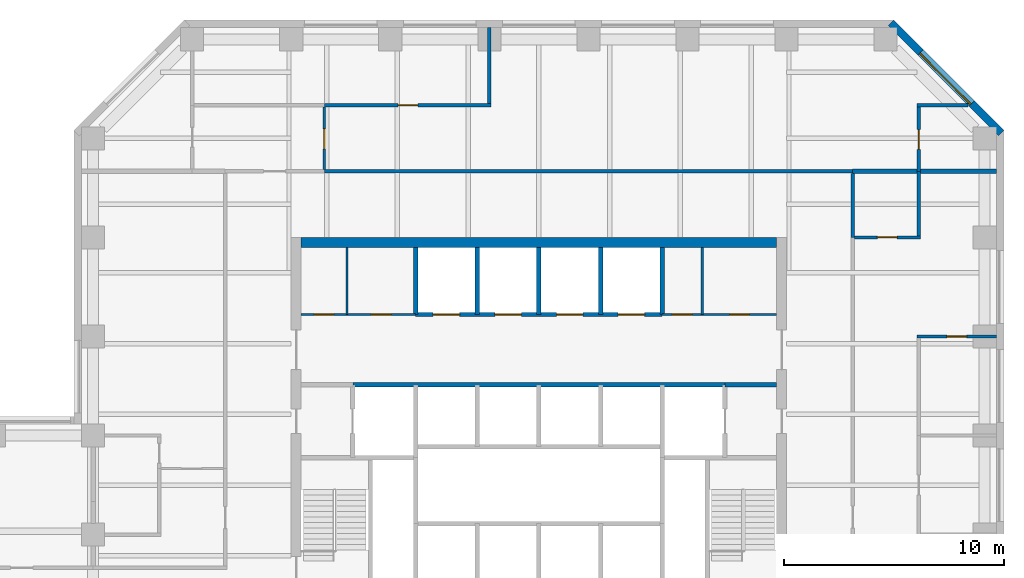
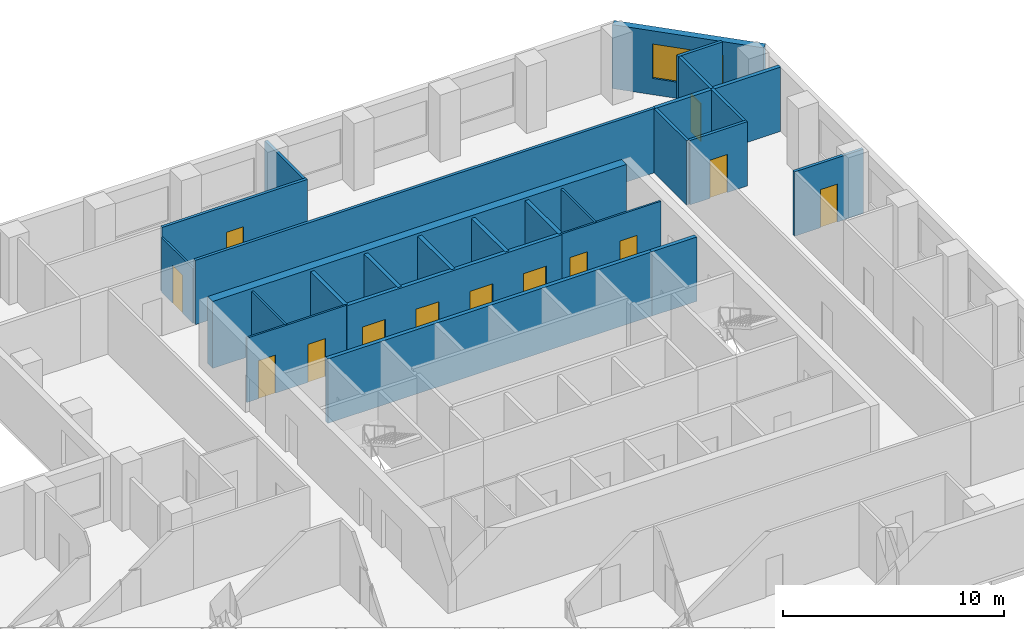
# One storey, part 8 of 11: 26 walls, 13 doors, 1 window, 14 openings.
"""IFC4 building model written with IfcOpenShell, lengths in metres."""

import ifcopenshell
import ifcopenshell.guid

model = None  # the IFC model being written
_history = None  # IfcOwnerHistory: only IFC2X3 demands one
_inside = {}  # id of a spatial element -> (the spatial element, [elements in it])
_under = {}  # id of a project, library or spatial element -> (it, [spatial elements below it])
_declared = {}  # id of a project -> (the project, [libraries it declares])
_typed = {}  # id of a type object -> (the type object, [elements of that type])
_made_of = {}  # id of a material, layer set ... -> (it, [elements and type objects made of it])


def new_model(schema):
    """Start an empty IFC model of exactly this schema.

    Asked for "IFC4X3", IfcOpenShell would pick the latest addendum, in which some entities
    have other attributes; the version numbers below select the first issue.
    IFC2X3 requires an IfcOwnerHistory on every rooted entity: one is made here for all.
    """
    global model, _history
    if schema == "IFC4X3":
        model = ifcopenshell.file(schema_version=(4, 3, 0, 0))
    else:
        model = ifcopenshell.file(schema=schema)
    _inside.clear()
    _under.clear()
    _declared.clear()
    _typed.clear()
    _made_of.clear()
    _history = None
    if model.schema == "IFC2X3":
        org = make("IfcOrganization", Name="unknown")
        user = make(
            "IfcPersonAndOrganization",
            ThePerson=make("IfcPerson", FamilyName="unknown"),
            TheOrganization=org,
        )
        app = make(
            "IfcApplication",
            ApplicationDeveloper=org,
            Version="unknown",
            ApplicationFullName="unknown",
            ApplicationIdentifier="unknown",
        )
        _history = make(
            "IfcOwnerHistory",
            OwningUser=user,
            OwningApplication=app,
            ChangeAction="ADDED",
            CreationDate=0,
        )
    return model


def make(cls, **values):
    """One entity of the class cls with the attributes given. An attribute that is None is left unset."""
    return model.create_entity(
        cls, **{name: value for name, value in values.items() if value is not None}
    )


def rooted(cls, **values):
    """An entity with a GlobalId (a new one), such as an element, a storey or a relation."""
    return make(cls, GlobalId=ifcopenshell.guid.new(), OwnerHistory=_history, **values)


def si_unit(unit_type, name, prefix=None):
    """IfcSIUnit, for example si_unit("LENGTHUNIT", "METRE", prefix="MILLI")."""
    return make("IfcSIUnit", UnitType=unit_type, Prefix=prefix, Name=name)


def assignment(units):
    """IfcUnitAssignment: the units of a project."""
    return None if units is None else make("IfcUnitAssignment", Units=units)


def point(xyz):
    """IfcCartesianPoint."""
    return None if xyz is None else make("IfcCartesianPoint", Coordinates=xyz)


def direction(xyz):
    """IfcDirection."""
    return None if xyz is None else make("IfcDirection", DirectionRatios=xyz)


def frame(location, z_axis=None, x_axis=None):
    """IfcAxis2Placement3D, a coordinate frame: its origin and axes. An axis left out is left unset."""
    return make(
        "IfcAxis2Placement3D",
        Location=point(location),
        Axis=direction(z_axis),
        RefDirection=direction(x_axis),
    )


def frame_2d(location, x_axis=None):
    """IfcAxis2Placement2D, a coordinate frame in the plane: its origin and x axis."""
    return make(
        "IfcAxis2Placement2D", Location=point(location), RefDirection=direction(x_axis)
    )


def origin():
    """The frame at (0, 0, 0) with its axes left unset."""
    return frame((0.0, 0.0, 0.0))


def place(relative_to, where):
    """IfcLocalPlacement: puts the frame where relative to a parent placement (None: the world)."""
    return make(
        "IfcLocalPlacement", PlacementRelTo=relative_to, RelativePlacement=where
    )


def context(
    kind, dimensions, precision=None, world=None, true_north=None, identifier=None
):
    """IfcGeometricRepresentationContext, for example the 3D "Model" context."""
    return make(
        "IfcGeometricRepresentationContext",
        ContextIdentifier=identifier,
        ContextType=kind,
        CoordinateSpaceDimension=dimensions,
        Precision=precision,
        WorldCoordinateSystem=world,
        TrueNorth=true_north,
    )


def subcontext(parent, identifier, kind, view, scale=None):
    """IfcGeometricRepresentationSubContext, for example "Body" below "Model"."""
    return make(
        "IfcGeometricRepresentationSubContext",
        ContextIdentifier=identifier,
        ContextType=kind,
        ParentContext=parent,
        TargetScale=scale,
        TargetView=view,
    )


def project(units=None, contexts=None):
    """IfcProject with its units and contexts."""
    return rooted(
        "IfcProject",
        Name="project",
        RepresentationContexts=contexts,
        UnitsInContext=assignment(units),
    )


def spatial(cls, under=None, at=None, **own):
    """A site, building, storey or space (cls), placed at a placement, below another one or the project."""
    s = rooted(cls, ObjectPlacement=at, **own)
    if under is not None:
        _under.setdefault(under.id(), (under, []))[1].append(s)
    return s


def profile(cls, at=None, kind="AREA", **sizes):
    """A parametric profile (cls). Its sizes go by their IFC names, for example OverallWidth=200.0."""
    return make(cls, ProfileType=kind, Position=at, **sizes)


def rectangle(**sizes):
    """IfcRectangleProfileDef."""
    return profile("IfcRectangleProfileDef", **sizes)


def extrude(swept, where, along, depth):
    """IfcExtrudedAreaSolid: the profile swept, set in the frame where, extruded along a direction by depth."""
    return make(
        "IfcExtrudedAreaSolid",
        SweptArea=swept,
        Position=where,
        ExtrudedDirection=direction(along),
        Depth=depth,
    )


def shape(context_of_items, identifier, shape_type, items):
    """IfcShapeRepresentation: the items that make up one representation, for example the "Body"."""
    return make(
        "IfcShapeRepresentation",
        ContextOfItems=context_of_items,
        RepresentationIdentifier=identifier,
        RepresentationType=shape_type,
        Items=items,
    )


def material(Name=None, Category=None):
    """IfcMaterial."""
    return make("IfcMaterial", Name=Name, Category=Category)


def layer(
    of_material, thickness, ventilated=None, Name=None, Category=None, Priority=None
):
    """IfcMaterialLayer: one layer of a wall or slab, of a material (None: an air gap)."""
    return make(
        "IfcMaterialLayer",
        Material=of_material,
        LayerThickness=thickness,
        IsVentilated=ventilated,
        Name=Name,
        Category=Category,
        Priority=Priority,
    )


def layer_set(layers, Name=None):
    """IfcMaterialLayerSet."""
    return make("IfcMaterialLayerSet", MaterialLayers=layers, LayerSetName=Name)


def constituent(of_material, Name=None, Category=None, fraction=None):
    """IfcMaterialConstituent: one of the materials an element consists of."""
    return make(
        "IfcMaterialConstituent",
        Name=Name,
        Material=of_material,
        Fraction=fraction,
        Category=Category,
    )


def constituent_set(constituents=None, Name=None):
    """IfcMaterialConstituentSet."""
    return make(
        "IfcMaterialConstituentSet", Name=Name, MaterialConstituents=constituents
    )


def made_of(thing, what):
    """Note that an element or type object is made of a material, layer set ...; save() writes the relation."""
    if what is not None:
        _made_of.setdefault(what.id(), (what, []))[1].append(thing)
    return thing


def type_object(cls, material=None, **own):
    """A type object (cls), such as IfcWallType, which elements share."""
    return made_of(rooted(cls, **own), material)


def element(
    cls,
    number,
    at=None,
    inside=None,
    cuts=None,
    type_object=None,
    material=None,
    context=None,
    identifier="Body",
    shape_type=None,
    held_by="IfcProductDefinitionShape",
    body=None,
    shapes=None,
    **own,
):
    """One element of the class cls, such as IfcWall. Its Tag is "e" and its number.

    at: its placement. inside: the storey or other place that contains it. cuts: it is an
    opening in that element (IfcRelVoidsElement). A single representation is given by context,
    identifier, shape_type and body (its items); several are given by shapes. held_by: the class
    of the entity that holds the representations. save() writes the other relations.
    """
    e = rooted(cls, Tag="e%d" % number, ObjectPlacement=at, **own)
    if body is not None:
        shapes = [shape(context, identifier, shape_type, body)]
    if shapes is not None:
        e.Representation = make(held_by, Representations=shapes)
    if inside is not None:
        _inside.setdefault(inside.id(), (inside, []))[1].append(e)
    if cuts is not None:
        rooted(
            "IfcRelVoidsElement", RelatingBuildingElement=cuts, RelatedOpeningElement=e
        )
    if type_object is not None:
        _typed.setdefault(type_object.id(), (type_object, []))[1].append(e)
    return made_of(e, material)


def fill(opening, filler):
    """IfcRelFillsElement: the door or window that sits in an opening."""
    return rooted(
        "IfcRelFillsElement",
        RelatingOpeningElement=opening,
        RelatedBuildingElement=filler,
    )


def aggregate(whole, parts):
    """IfcRelAggregates: a whole, such as a stair, and the parts it consists of."""
    return rooted("IfcRelAggregates", RelatingObject=whole, RelatedObjects=parts)


def save(model, path):
    """Write the relations noted so far, then the file.

    IfcRelAggregates (storeys below a building ...), IfcRelContainedInSpatialStructure (elements
    in a storey), IfcRelDefinesByType, IfcRelAssociatesMaterial and IfcRelDeclares: one each for
    every whole, place, type object, material and project.
    """
    for whole, parts in _under.values():
        aggregate(whole, parts)
    for where, things in _inside.values():
        rooted(
            "IfcRelContainedInSpatialStructure",
            RelatedElements=things,
            RelatingStructure=where,
        )
    for kind, things in _typed.values():
        rooted("IfcRelDefinesByType", RelatedObjects=things, RelatingType=kind)
    for what, things in _made_of.values():
        rooted("IfcRelAssociatesMaterial", RelatedObjects=things, RelatingMaterial=what)
    for by, libraries in _declared.values():
        rooted("IfcRelDeclares", RelatingContext=by, RelatedDefinitions=libraries)
    model.write(path)


model = new_model("IFC4")

# Units and contexts
model_context = context("Model", 3, precision=1e-05, world=origin(), true_north=direction((0.0, 1.0)))
body_context = subcontext(model_context, "Body", "Model", "MODEL_VIEW")
ifc_project = project(units=[si_unit("LENGTHUNIT", "METRE"), si_unit("AREAUNIT", "SQUARE_METRE"), si_unit("VOLUMEUNIT", "CUBIC_METRE"), si_unit("PLANEANGLEUNIT", "RADIAN"), si_unit("MASSUNIT", "GRAM", prefix="KILO")], contexts=[model_context])

# Site, building, storey
site_placement = place(None, origin())
site = spatial("IfcSite", under=ifc_project, at=site_placement, CompositionType="ELEMENT")
building_placement = place(site_placement, origin())
building = spatial("IfcBuilding", under=site, at=building_placement, Name="Quoin Convention Tower", CompositionType="ELEMENT")
storey_placement = place(building_placement, frame((0.0, 0.0, 101.10009765625)))
storey = spatial("IfcBuildingStorey", under=building, at=storey_placement, Name="L26", CompositionType="ELEMENT", Elevation=101.10009765625)

# Wall, opening, door
ifc_material_1 = material(Name="Plasterboard")
ifc_layer_1 = layer(ifc_material_1, 0.012451171875, Name="Finish")
ifc_material_2 = material(Name="Steel stud framing", Category="steel")
ifc_layer_2 = layer(ifc_material_2, 0.125, Name="Structure")
ifc_layer_3 = layer(ifc_material_1, 0.012451171875, Name="Finish")
ifc_layer_set_1 = layer_set([ifc_layer_1, ifc_layer_2, ifc_layer_3], Name="Steel stud framing")
wall_type_1 = type_object("IfcWallType", Name="Acoustic partition 150", PredefinedType="PARTITIONING", material=ifc_layer_set_1)
wall_1_placement = place(storey_placement, frame((73.425048828125, 67.5, 0.0), z_axis=(0.0, 0.0, 1.0), x_axis=(1.0, 0.0, 0.0)))
wall_1 = element("IfcWall", 1, at=wall_1_placement, inside=storey, type_object=wall_type_1, Name="pw-L26-039", PredefinedType="PARTITIONING", context=body_context, shape_type="SweptSolid", body=[
    extrude(rectangle(XDim=3.599853515625, YDim=0.14990234375, at=frame_2d((1.7998046875, 0.0))), origin(), (0.0, 0.0, 1.0), 3.5498046875),
])
opening_1_placement = place(wall_1_placement, frame((1.35009765625, 0.0, 0.0)))
opening_1 = element("IfcOpeningElement", 2, at=opening_1_placement, cuts=wall_1, Name="Opening DOL4-13", PredefinedType="OPENING", context=body_context, shape_type="SweptSolid", body=[
    extrude(rectangle(XDim=0.89990234375, YDim=2.10009765625, at=frame_2d((0.449951171875, 1.050048828125))), frame((0.0, 0.0849609375, 0.0), z_axis=(0.0, -1.0, 0.0), x_axis=(1.0, 0.0, 0.0)), (0.0, 0.0, 1.0), 0.169921875),
])
ifc_material_3 = material(Name="Steel door leaf", Category="steel")
door_type_1 = type_object("IfcDoorType", Name="Office door 900 x 2100", OperationType="SINGLE_SWING_RIGHT", PredefinedType="DOOR", material=ifc_material_3)
door_1_placement = place(opening_1_placement, origin())
door_1 = element("IfcDoor", 3, at=door_1_placement, inside=storey, type_object=door_type_1, Name="dr-L26-28", OperationType="SINGLE_SWING_RIGHT", OverallHeight=2.10009765625, OverallWidth=0.89990234375, PredefinedType="DOOR", context=body_context, shape_type="SweptSolid", body=[
    extrude(rectangle(XDim=0.89990234375, YDim=2.10009765625, at=frame_2d((0.449951171875, 1.050048828125))), frame((0.0, 0.02490234375, 0.0), z_axis=(0.0, -1.0, 0.0), x_axis=(1.0, 0.0, 0.0)), (0.0, 0.0, 1.0), 0.050048828125),
])
fill(opening_1, door_1)

wall_2_placement = place(storey_placement, frame((46.5, 78.0, 0.0), z_axis=(0.0, 0.0, 1.0), x_axis=(1.0, 0.0, 0.0)))
wall_2 = element("IfcWall", 4, at=wall_2_placement, inside=storey, type_object=wall_type_1, Name="pw-L26-048", PredefinedType="PARTITIONING", context=body_context, shape_type="SweptSolid", body=[
    extrude(rectangle(XDim=7.574951171875, YDim=0.14990234375, at=frame_2d((3.78759765625, 0.0))), origin(), (0.0, 0.0, 1.0), 3.5498046875),
])
opening_2_placement = place(wall_2_placement, frame((3.35009765625, 0.0, 0.0)))
opening_2 = element("IfcOpeningElement", 5, at=opening_2_placement, cuts=wall_2, Name="Opening DOL4-16", PredefinedType="OPENING", context=body_context, shape_type="SweptSolid", body=[
    extrude(rectangle(XDim=0.89990234375, YDim=2.10009765625, at=frame_2d((0.449951171875, 1.050048828125))), frame((0.0, 0.0849609375, 0.0), z_axis=(0.0, -1.0, 0.0), x_axis=(1.0, 0.0, 0.0)), (0.0, 0.0, 1.0), 0.169921875),
])
door_2_placement = place(opening_2_placement, frame((0.89990234375, 0.0, 0.0), z_axis=(0.0, 0.0, 1.0), x_axis=(-1.0, 0.0, 0.0)))
door_2 = element("IfcDoor", 6, at=door_2_placement, inside=storey, type_object=door_type_1, Name="dr-L26-33", OperationType="SINGLE_SWING_LEFT", OverallHeight=2.10009765625, OverallWidth=0.89990234375, PredefinedType="DOOR", context=body_context, shape_type="SweptSolid", body=[
    extrude(rectangle(XDim=0.89990234375, YDim=2.10009765625, at=frame_2d((0.449951171875, 1.050048828125))), frame((0.0, 0.02490234375, 0.0), z_axis=(0.0, -1.0, 0.0), x_axis=(1.0, 0.0, 0.0)), (0.0, 0.0, 1.0), 0.050048828125),
])
fill(opening_2, door_2)

# Wall
wall_3_placement = place(storey_placement, frame((54.0, 78.074951171875, 0.0), z_axis=(0.0, 0.0, 1.0), x_axis=(0.0, 1.0, 0.0)))
element("IfcWall", 7, at=wall_3_placement, inside=storey, type_object=wall_type_1, Name="pw-L26-093", PredefinedType="PARTITIONING", context=body_context, shape_type="SweptSolid", body=[
    extrude(rectangle(XDim=3.449951171875, YDim=0.14990234375, at=frame_2d((1.72509765625, 0.0))), origin(), (0.0, 0.0, 1.0), 3.5498046875),
])

# Wall, opening, window
ifc_material_4 = material(Name="Brick masonry", Category="masonry")
ifc_layer_4 = layer(ifc_material_4, 0.35009765625)
ifc_layer_set_2 = layer_set([ifc_layer_4], Name="Brick masonry")
wall_type_2 = type_object("IfcWallType", Name="Brick facade wall", PredefinedType="STANDARD", material=ifc_layer_set_2)
wall_4_placement = place(storey_placement, frame((77.251220703125, 76.73876953125, 0.0), z_axis=(0.0, 0.0, 1.0), x_axis=(-0.707106781187, 0.707106781187, 0.0)))
wall_4 = element("IfcWall", 8, at=wall_4_placement, inside=storey, type_object=wall_type_2, Name="fw-L26-76500_76500", PredefinedType="STANDARD", context=body_context, shape_type="SweptSolid", body=[
    extrude(rectangle(XDim=7.088623046875, YDim=0.35009765625, at=frame_2d((3.54443359375, 0.0))), origin(), (0.0, 0.0, 1.0), 3.52490234375),
])
opening_3_placement = place(wall_4_placement, frame((1.894287109375, 0.0, 0.89990234375)))
opening_3 = element("IfcOpeningElement", 9, at=opening_3_placement, cuts=wall_4, Name="Opening W-02", PredefinedType="OPENING", context=body_context, shape_type="SweptSolid", body=[
    extrude(rectangle(XDim=3.300048828125, YDim=1.89990234375, at=frame_2d((1.64990234375, 0.949951171875))), frame((0.0, 0.18505859375, 0.0), z_axis=(0.0, -1.0, 0.0), x_axis=(1.0, 0.0, 0.0)), (0.0, 0.0, 1.0), 0.3701171875),
])
ifc_material_5 = material(Name="Aluminium", Category="aluminium")
ifc_constituent_1 = constituent(ifc_material_5, Name="Frame")
ifc_material_6 = material(Name="Insulated glass", Category="glass")
ifc_constituent_2 = constituent(ifc_material_6, Name="Glazing")
ifc_constituent_set = constituent_set(constituents=[ifc_constituent_1, ifc_constituent_2], Name="Aluminium")
window_type = type_object("IfcWindowType", Name="Office window", PartitioningType="DOUBLE_PANEL_VERTICAL", PredefinedType="WINDOW", material=ifc_constituent_set)
window_placement = place(opening_3_placement, origin())
window = element("IfcWindow", 10, at=window_placement, inside=storey, type_object=window_type, Name="win-L26-74745_79245", OverallHeight=1.89990234375, OverallWidth=3.300048828125, PartitioningType="SINGLE_PANEL", PredefinedType="WINDOW", context=body_context, shape_type="SweptSolid", body=[
    extrude(rectangle(XDim=3.300048828125, YDim=1.89990234375, at=frame_2d((1.64990234375, 0.949951171875))), frame((0.0, 0.0849609375, 0.0), z_axis=(0.0, -1.0, 0.0), x_axis=(1.0, 0.0, 0.0)), (0.0, 0.0, 1.0), 0.06005859375),
])
fill(opening_3, window)

# Wall, openings, doors
ifc_layer_5 = layer(ifc_material_1, 0.012451171875, Name="Finish")
ifc_layer_6 = layer(ifc_material_2, 0.074951171875, Name="Structure")
ifc_layer_7 = layer(ifc_material_1, 0.012451171875, Name="Finish")
ifc_layer_set_3 = layer_set([ifc_layer_5, ifc_layer_6, ifc_layer_7], Name="Steel stud framing")
wall_type_3 = type_object("IfcWallType", Name="Core partition wall", PredefinedType="PARTITIONING", material=ifc_layer_set_3)
wall_5_placement = place(storey_placement, frame((45.449951171875, 68.5, 0.0), z_axis=(0.0, 0.0, 1.0), x_axis=(1.0, 0.0, 0.0)))
wall_5 = element("IfcWall", 11, at=wall_5_placement, inside=storey, type_object=wall_type_3, Name="cr-C1-L26-h19000_450", PredefinedType="PARTITIONING", context=body_context, shape_type="SweptSolid", body=[
    extrude(rectangle(XDim=5.199951171875, YDim=0.10009765625, at=frame_2d((2.60009765625, 0.0))), origin(), (0.0, 0.0, 1.0), 3.5498046875),
])
opening_4_placement = place(wall_5_placement, frame((0.590087890625, 0.0, 0.0)))
opening_4 = element("IfcOpeningElement", 12, at=opening_4_placement, cuts=wall_5, Name="Opening DCV3-15", PredefinedType="OPENING", context=body_context, shape_type="SweptSolid", body=[
    extrude(rectangle(XDim=0.89990234375, YDim=2.10009765625, at=frame_2d((0.449951171875, 1.050048828125))), frame((0.0, 0.06005859375, 0.0), z_axis=(0.0, -1.0, 0.0), x_axis=(1.0, 0.0, 0.0)), (0.0, 0.0, 1.0), 0.1201171875),
])
opening_5_placement = place(wall_5_placement, frame((3.18994140625, 0.0, 0.0)))
opening_5 = element("IfcOpeningElement", 13, at=opening_5_placement, cuts=wall_5, Name="Opening DCV3-16", PredefinedType="OPENING", context=body_context, shape_type="SweptSolid", body=[
    extrude(rectangle(XDim=0.89990234375, YDim=2.10009765625, at=frame_2d((0.449951171875, 1.050048828125))), frame((0.0, 0.06005859375, 0.0), z_axis=(0.0, -1.0, 0.0), x_axis=(1.0, 0.0, 0.0)), (0.0, 0.0, 1.0), 0.1201171875),
])
door_type_2 = type_object("IfcDoorType", Name="Core room door 900 x 2100", OperationType="SINGLE_SWING_LEFT", PredefinedType="DOOR", material=ifc_material_3)
door_3_placement = place(opening_4_placement, origin())
door_3 = element("IfcDoor", 14, at=door_3_placement, inside=storey, type_object=door_type_2, Name="cd-C1-L26-CNW0-lobB-CD2609", OperationType="SINGLE_SWING_RIGHT", OverallHeight=2.10009765625, OverallWidth=0.89990234375, PredefinedType="DOOR", context=body_context, shape_type="SweptSolid", body=[
    extrude(rectangle(XDim=0.89990234375, YDim=2.10009765625, at=frame_2d((0.449951171875, 1.050048828125))), frame((0.0, 0.02490234375, 0.0), z_axis=(0.0, -1.0, 0.0), x_axis=(1.0, 0.0, 0.0)), (0.0, 0.0, 1.0), 0.050048828125),
])
fill(opening_4, door_3)
door_4_placement = place(opening_5_placement, origin())
door_4 = element("IfcDoor", 15, at=door_4_placement, inside=storey, type_object=door_type_2, Name="cd-C1-L26-CNW1-lobB-CD2610", OperationType="SINGLE_SWING_RIGHT", OverallHeight=2.10009765625, OverallWidth=0.89990234375, PredefinedType="DOOR", context=body_context, shape_type="SweptSolid", body=[
    extrude(rectangle(XDim=0.89990234375, YDim=2.10009765625, at=frame_2d((0.449951171875, 1.050048828125))), frame((0.0, 0.02490234375, 0.0), z_axis=(0.0, -1.0, 0.0), x_axis=(1.0, 0.0, 0.0)), (0.0, 0.0, 1.0), 0.050048828125),
])
fill(opening_5, door_4)

wall_6_placement = place(storey_placement, frame((61.85009765625, 68.5, 0.0), z_axis=(0.0, 0.0, 1.0), x_axis=(1.0, 0.0, 0.0)))
wall_6 = element("IfcWall", 16, at=wall_6_placement, inside=storey, type_object=wall_type_3, Name="cr-C1-L26-h19000_16850", PredefinedType="PARTITIONING", context=body_context, shape_type="SweptSolid", body=[
    extrude(rectangle(XDim=5.199951171875, YDim=0.10009765625, at=frame_2d((2.60009765625, 0.0))), origin(), (0.0, 0.0, 1.0), 3.5498046875),
])
opening_6_placement = place(wall_6_placement, frame((3.06005859375, 0.0, 0.0)))
opening_6 = element("IfcOpeningElement", 17, at=opening_6_placement, cuts=wall_6, Name="Opening DCV3-04", PredefinedType="OPENING", context=body_context, shape_type="SweptSolid", body=[
    extrude(rectangle(XDim=0.89990234375, YDim=2.10009765625, at=frame_2d((0.449951171875, 1.050048828125))), frame((0.0, 0.06005859375, 0.0), z_axis=(0.0, -1.0, 0.0), x_axis=(1.0, 0.0, 0.0)), (0.0, 0.0, 1.0), 0.1201171875),
])
opening_7_placement = place(wall_6_placement, frame((0.4599609375, 0.0, 0.0)))
opening_7 = element("IfcOpeningElement", 18, at=opening_7_placement, cuts=wall_6, Name="Opening DCV3-02", PredefinedType="OPENING", context=body_context, shape_type="SweptSolid", body=[
    extrude(rectangle(XDim=0.89990234375, YDim=2.10009765625, at=frame_2d((0.449951171875, 1.050048828125))), frame((0.0, 0.06005859375, 0.0), z_axis=(0.0, -1.0, 0.0), x_axis=(1.0, 0.0, 0.0)), (0.0, 0.0, 1.0), 0.1201171875),
])
door_5_placement = place(opening_6_placement, origin())
door_5 = element("IfcDoor", 19, at=door_5_placement, inside=storey, type_object=door_type_2, Name="cd-C1-L26-CNE0-lobB-CD2607", OperationType="SINGLE_SWING_RIGHT", OverallHeight=2.10009765625, OverallWidth=0.89990234375, PredefinedType="DOOR", context=body_context, shape_type="SweptSolid", body=[
    extrude(rectangle(XDim=0.89990234375, YDim=2.10009765625, at=frame_2d((0.449951171875, 1.050048828125))), frame((0.0, 0.02490234375, 0.0), z_axis=(0.0, -1.0, 0.0), x_axis=(1.0, 0.0, 0.0)), (0.0, 0.0, 1.0), 0.050048828125),
])
fill(opening_6, door_5)
door_6_placement = place(opening_7_placement, origin())
door_6 = element("IfcDoor", 20, at=door_6_placement, inside=storey, type_object=door_type_2, Name="cd-C1-L26-CNE1-lobB-CD2608", OperationType="SINGLE_SWING_LEFT", OverallHeight=2.10009765625, OverallWidth=0.89990234375, PredefinedType="DOOR", context=body_context, shape_type="SweptSolid", body=[
    extrude(rectangle(XDim=0.89990234375, YDim=2.10009765625, at=frame_2d((0.449951171875, 1.050048828125))), frame((0.0, 0.02490234375, 0.0), z_axis=(0.0, -1.0, 0.0), x_axis=(1.0, 0.0, 0.0)), (0.0, 0.0, 1.0), 0.050048828125),
])
fill(opening_7, door_6)

# Walls
for number, where, z_axis, x_axis, name in (
    (21, (47.530029296875, 68.5, 0.0), (0.0, 0.0, 1.0), (0.0, 1.0, 0.0), "cr-C1-L26-v2530_19000"),
    (22, (63.669921875, 68.5, 0.0), (0.0, 0.0, 1.0), (0.0, 1.0, 0.0), "cr-C1-L26-v18670_19000"),
):
    element("IfcWall", number, at=place(storey_placement, frame(where, z_axis=z_axis, x_axis=x_axis)), inside=storey, type_object=wall_type_3, Name=name, PredefinedType="PARTITIONING", context=body_context, shape_type="SweptSolid", body=[
        extrude(rectangle(XDim=3.050048828125, YDim=0.10009765625, at=frame_2d((1.52490234375, 0.0))), origin(), (0.0, 0.0, 1.0), 3.5498046875),
    ])
ifc_material_7 = material(Name="Concrete C50", Category="concrete")
ifc_layer_8 = layer(ifc_material_7, 0.199951171875)
ifc_layer_set_4 = layer_set([ifc_layer_8], Name="Concrete C50")
wall_type_4 = type_object("IfcWallType", Name="Core shaft wall", PredefinedType="SOLIDWALL", material=ifc_layer_set_4)
wall_7_placement = place(storey_placement, frame((64.699951171875, 65.300048828125, 0.0), z_axis=(0.0, 0.0, 1.0), x_axis=(1.0, 0.0, 0.0)))
element("IfcWall", 23, at=wall_7_placement, inside=storey, type_object=wall_type_4, Name="cr-C1-L26-h15800_19700", PredefinedType="SOLIDWALL", context=body_context, shape_type="SweptSolid", body=[
    extrude(rectangle(XDim=2.35009765625, YDim=0.199951171875, at=frame_2d((1.175048828125, 0.0))), origin(), (0.0, 0.0, 1.0), 3.5498046875),
])
wall_8_placement = place(storey_placement, frame((47.800048828125, 65.300048828125, 0.0), z_axis=(0.0, 0.0, 1.0), x_axis=(1.0, 0.0, 0.0)))
element("IfcWall", 24, at=wall_8_placement, inside=storey, type_object=wall_type_4, Name="cr-C1-L26-h15800_2800", PredefinedType="SOLIDWALL", context=body_context, shape_type="SweptSolid", body=[
    extrude(rectangle(XDim=16.89990234375, YDim=0.199951171875, at=frame_2d((8.449951171875, 0.0))), origin(), (0.0, 0.0, 1.0), 3.5498046875),
])

# Wall, openings, doors
wall_9_placement = place(storey_placement, frame((50.64990234375, 68.5, 0.0), z_axis=(0.0, 0.0, 1.0), x_axis=(1.0, 0.0, 0.0)))
wall_9 = element("IfcWall", 25, at=wall_9_placement, inside=storey, type_object=wall_type_4, Name="cr-C1-L26-h19000_5650", PredefinedType="SOLIDWALL", context=body_context, shape_type="SweptSolid", body=[
    extrude(rectangle(XDim=11.2001953125, YDim=0.199951171875, at=frame_2d((5.60009765625, 0.0))), origin(), (0.0, 0.0, 1.0), 3.5498046875),
])
opening_8_placement = place(wall_9_placement, frame((0.800048828125, 0.0, 0.0)))
opening_8 = element("IfcOpeningElement", 26, at=opening_8_placement, cuts=wall_9, Name="Opening LDL5", PredefinedType="OPENING", context=body_context, shape_type="SweptSolid", body=[
    extrude(rectangle(XDim=1.199951171875, YDim=2.10009765625, at=frame_2d((0.60009765625, 1.050048828125))), frame((0.0, 0.10986328125, 0.0), z_axis=(0.0, -1.0, 0.0), x_axis=(1.0, 0.0, 0.0)), (0.0, 0.0, 1.0), 0.219970703125),
])
opening_9_placement = place(wall_9_placement, frame((3.60009765625, 0.0, 0.0)))
opening_9 = element("IfcOpeningElement", 27, at=opening_9_placement, cuts=wall_9, Name="Opening LDL6", PredefinedType="OPENING", context=body_context, shape_type="SweptSolid", body=[
    extrude(rectangle(XDim=1.199951171875, YDim=2.10009765625, at=frame_2d((0.60009765625, 1.050048828125))), frame((0.0, 0.10986328125, 0.0), z_axis=(0.0, -1.0, 0.0), x_axis=(1.0, 0.0, 0.0)), (0.0, 0.0, 1.0), 0.219970703125),
])
opening_10_placement = place(wall_9_placement, frame((6.39990234375, 0.0, 0.0)))
opening_10 = element("IfcOpeningElement", 28, at=opening_10_placement, cuts=wall_9, Name="Opening LDL7", PredefinedType="OPENING", context=body_context, shape_type="SweptSolid", body=[
    extrude(rectangle(XDim=1.199951171875, YDim=2.10009765625, at=frame_2d((0.60009765625, 1.050048828125))), frame((0.0, 0.10986328125, 0.0), z_axis=(0.0, -1.0, 0.0), x_axis=(1.0, 0.0, 0.0)), (0.0, 0.0, 1.0), 0.219970703125),
])
opening_11_placement = place(wall_9_placement, frame((9.199951171875, 0.0, 0.0)))
opening_11 = element("IfcOpeningElement", 29, at=opening_11_placement, cuts=wall_9, Name="Opening LDL8", PredefinedType="OPENING", context=body_context, shape_type="SweptSolid", body=[
    extrude(rectangle(XDim=1.199951171875, YDim=2.10009765625, at=frame_2d((0.60009765625, 1.050048828125))), frame((0.0, 0.10986328125, 0.0), z_axis=(0.0, -1.0, 0.0), x_axis=(1.0, 0.0, 0.0)), (0.0, 0.0, 1.0), 0.219970703125),
])
door_type_3 = type_object("IfcDoorType", Name="Lift landing door 1200 x 2100", OperationType="DOUBLE_DOOR_SLIDING", PredefinedType="DOOR", material=ifc_material_3)
door_7_placement = place(opening_8_placement, origin())
door_7 = element("IfcDoor", 30, at=door_7_placement, inside=storey, type_object=door_type_3, Name="cd-C1-L26-R40-lobB-LDL5", OperationType="DOUBLE_DOOR_SLIDING", OverallHeight=2.10009765625, OverallWidth=1.199951171875, PredefinedType="DOOR", context=body_context, shape_type="SweptSolid", body=[
    extrude(rectangle(XDim=1.199951171875, YDim=2.10009765625, at=frame_2d((0.60009765625, 1.050048828125))), frame((0.0, 0.02490234375, 0.0), z_axis=(0.0, -1.0, 0.0), x_axis=(1.0, 0.0, 0.0)), (0.0, 0.0, 1.0), 0.050048828125),
])
fill(opening_8, door_7)
door_8_placement = place(opening_9_placement, origin())
door_8 = element("IfcDoor", 31, at=door_8_placement, inside=storey, type_object=door_type_3, Name="cd-C1-L26-R41-lobB-LDL6", OperationType="DOUBLE_DOOR_SLIDING", OverallHeight=2.10009765625, OverallWidth=1.199951171875, PredefinedType="DOOR", context=body_context, shape_type="SweptSolid", body=[
    extrude(rectangle(XDim=1.199951171875, YDim=2.10009765625, at=frame_2d((0.60009765625, 1.050048828125))), frame((0.0, 0.02490234375, 0.0), z_axis=(0.0, -1.0, 0.0), x_axis=(1.0, 0.0, 0.0)), (0.0, 0.0, 1.0), 0.050048828125),
])
fill(opening_9, door_8)
door_9_placement = place(opening_10_placement, origin())
door_9 = element("IfcDoor", 32, at=door_9_placement, inside=storey, type_object=door_type_3, Name="cd-C1-L26-R42-lobB-LDL7", OperationType="DOUBLE_DOOR_SLIDING", OverallHeight=2.10009765625, OverallWidth=1.199951171875, PredefinedType="DOOR", context=body_context, shape_type="SweptSolid", body=[
    extrude(rectangle(XDim=1.199951171875, YDim=2.10009765625, at=frame_2d((0.60009765625, 1.050048828125))), frame((0.0, 0.02490234375, 0.0), z_axis=(0.0, -1.0, 0.0), x_axis=(1.0, 0.0, 0.0)), (0.0, 0.0, 1.0), 0.050048828125),
])
fill(opening_10, door_9)
door_10_placement = place(opening_11_placement, origin())
door_10 = element("IfcDoor", 33, at=door_10_placement, inside=storey, type_object=door_type_3, Name="cd-C1-L26-R43-lobB-LDL8", OperationType="DOUBLE_DOOR_SLIDING", OverallHeight=2.10009765625, OverallWidth=1.199951171875, PredefinedType="DOOR", context=body_context, shape_type="SweptSolid", body=[
    extrude(rectangle(XDim=1.199951171875, YDim=2.10009765625, at=frame_2d((0.60009765625, 1.050048828125))), frame((0.0, 0.02490234375, 0.0), z_axis=(0.0, -1.0, 0.0), x_axis=(1.0, 0.0, 0.0)), (0.0, 0.0, 1.0), 0.050048828125),
])
fill(opening_11, door_10)

# Walls
for number, where, z_axis, x_axis, name in (
    (34, (50.64990234375, 68.5, 0.0), (0.0, 0.0, 1.0), (0.0, 1.0, 0.0), "cr-C1-L26-v5650_19000"),
    (35, (53.449951171875, 68.5, 0.0), (0.0, 0.0, 1.0), (0.0, 1.0, 0.0), "cr-C1-L26-v8450_19000"),
    (36, (56.25, 68.5, 0.0), (0.0, 0.0, 1.0), (0.0, 1.0, 0.0), "cr-C1-L26-v11250_19000"),
    (37, (59.050048828125, 68.5, 0.0), (0.0, 0.0, 1.0), (0.0, 1.0, 0.0), "cr-C1-L26-v14050_19000"),
    (38, (61.85009765625, 68.5, 0.0), (0.0, 0.0, 1.0), (0.0, 1.0, 0.0), "cr-C1-L26-v16850_19000"),
):
    element("IfcWall", number, at=place(storey_placement, frame(where, z_axis=z_axis, x_axis=x_axis)), inside=storey, type_object=wall_type_4, Name=name, PredefinedType="SOLIDWALL", context=body_context, shape_type="SweptSolid", body=[
        extrude(rectangle(XDim=3.050048828125, YDim=0.199951171875, at=frame_2d((1.52490234375, 0.0))), origin(), (0.0, 0.0, 1.0), 3.5498046875),
    ])
ifc_layer_9 = layer(ifc_material_1, 0.012451171875, Name="Finish")
ifc_layer_10 = layer(ifc_material_2, 0.125, Name="Structure")
ifc_layer_11 = layer(ifc_material_1, 0.012451171875, Name="Finish")
ifc_layer_set_5 = layer_set([ifc_layer_9, ifc_layer_10, ifc_layer_11], Name="Steel stud framing")
wall_type_5 = type_object("IfcWallType", Name="Corridor wall 150", PredefinedType="PARTITIONING", material=ifc_layer_set_5)
wall_10_placement = place(storey_placement, frame((46.5, 75.0, 0.0), z_axis=(0.0, 0.0, 1.0), x_axis=(1.0, 0.0, 0.0)))
element("IfcWall", 39, at=wall_10_placement, inside=storey, type_object=wall_type_5, Name="pw-L26-044", PredefinedType="PARTITIONING", context=body_context, shape_type="SweptSolid", body=[
    extrude(rectangle(XDim=24.0, YDim=0.14990234375, at=frame_2d((12.0, 0.0))), origin(), (0.0, 0.0, 1.0), 3.5498046875),
])
wall_11_placement = place(storey_placement, frame((70.5, 72.0, 0.0), z_axis=(0.0, 0.0, 1.0), x_axis=(0.0, 1.0, 0.0)))
element("IfcWall", 40, at=wall_11_placement, inside=storey, type_object=wall_type_5, Name="pw-L26-087", PredefinedType="PARTITIONING", context=body_context, shape_type="SweptSolid", body=[
    extrude(rectangle(XDim=2.89990234375, YDim=0.14990234375, at=frame_2d((1.449951171875, 0.0))), origin(), (0.0, 0.0, 1.0), 3.5498046875),
])
ifc_material_8 = material(Name="Concrete C65", Category="concrete")
ifc_layer_12 = layer(ifc_material_8, 0.449951171875)
ifc_layer_set_6 = layer_set([ifc_layer_12], Name="Concrete C65")
wall_type_6 = type_object("IfcWallType", Name="RC CORE WALL 450 C65", PredefinedType="SHEAR", material=ifc_layer_set_6)
wall_12_placement = place(storey_placement, frame((45.449951171875, 71.77490234375, 0.0), z_axis=(0.0, 0.0, 1.0), x_axis=(1.0, 0.0, 0.0)))
element("IfcWall", 41, at=wall_12_placement, inside=storey, type_object=wall_type_6, Name="cwl-C1-L26-N", PredefinedType="SHEAR", context=body_context, shape_type="SweptSolid", body=[
    extrude(rectangle(XDim=21.60009765625, YDim=0.449951171875, at=frame_2d((10.800048828125, 0.0))), origin(), (0.0, 0.0, 1.0), 3.699951171875),
])

# Wall, opening, door
ifc_layer_13 = layer(ifc_material_1, 0.012451171875, Name="Finish")
ifc_layer_14 = layer(ifc_material_2, 0.074951171875, Name="Structure")
ifc_layer_15 = layer(ifc_material_1, 0.012451171875, Name="Finish")
ifc_layer_set_7 = layer_set([ifc_layer_13, ifc_layer_14, ifc_layer_15], Name="Steel stud framing")
wall_type_7 = type_object("IfcWallType", Name="Stud partition 100 under beam 528", PredefinedType="PARTITIONING", material=ifc_layer_set_7)
wall_13_placement = place(storey_placement, frame((46.5, 75.074951171875, 0.0), z_axis=(0.0, 0.0, 1.0), x_axis=(0.0, 1.0, 0.0)))
wall_13 = element("IfcWall", 42, at=wall_13_placement, inside=storey, type_object=wall_type_7, Name="pw-L26-090", PredefinedType="PARTITIONING", context=body_context, shape_type="SweptSolid", body=[
    extrude(rectangle(XDim=2.85009765625, YDim=0.10009765625, at=frame_2d((1.425048828125, 0.0))), origin(), (0.0, 0.0, 1.0), 3.02197265625),
])
opening_12_placement = place(wall_13_placement, frame((0.949951171875, 0.0, 0.0)))
opening_12 = element("IfcOpeningElement", 43, at=opening_12_placement, cuts=wall_13, Name="Opening DOL4-29", PredefinedType="OPENING", context=body_context, shape_type="SweptSolid", body=[
    extrude(rectangle(XDim=0.89990234375, YDim=2.10009765625, at=frame_2d((0.449951171875, 1.050048828125))), frame((0.0, 0.06005859375, 0.0), z_axis=(0.0, -1.0, 0.0), x_axis=(1.0, 0.0, 0.0)), (0.0, 0.0, 1.0), 0.1201171875),
])
door_11_placement = place(opening_12_placement, frame((0.89990234375, 0.0, 0.0), z_axis=(0.0, 0.0, 1.0), x_axis=(-1.0, 0.0, 0.0)))
door_11 = element("IfcDoor", 44, at=door_11_placement, inside=storey, type_object=door_type_1, Name="dr-L26-30", OperationType="SINGLE_SWING_LEFT", OverallHeight=2.10009765625, OverallWidth=0.89990234375, PredefinedType="DOOR", context=body_context, shape_type="SweptSolid", body=[
    extrude(rectangle(XDim=0.89990234375, YDim=2.10009765625, at=frame_2d((0.449951171875, 1.050048828125))), frame((0.0, 0.02490234375, 0.0), z_axis=(0.0, -1.0, 0.0), x_axis=(1.0, 0.0, 0.0)), (0.0, 0.0, 1.0), 0.050048828125),
])
fill(opening_12, door_11)

# Walls
ifc_layer_16 = layer(ifc_material_1, 0.012451171875, Name="Finish")
ifc_layer_17 = layer(ifc_material_2, 0.175048828125, Name="Structure")
ifc_layer_18 = layer(ifc_material_1, 0.012451171875, Name="Finish")
ifc_layer_set_8 = layer_set([ifc_layer_16, ifc_layer_17, ifc_layer_18], Name="Steel stud framing")
wall_type_8 = type_object("IfcWallType", Name="Tenancy demising wall 200", PredefinedType="PARTITIONING", material=ifc_layer_set_8)
wall_14_placement = place(storey_placement, frame((70.5, 75.0, 0.0), z_axis=(0.0, 0.0, 1.0), x_axis=(1.0, 0.0, 0.0)))
element("IfcWall", 45, at=wall_14_placement, inside=storey, type_object=wall_type_8, Name="pw-L26-045", PredefinedType="PARTITIONING", context=body_context, shape_type="SweptSolid", body=[
    extrude(rectangle(XDim=2.925048828125, YDim=0.199951171875, at=frame_2d((1.46240234375, 0.0))), origin(), (0.0, 0.0, 1.0), 3.5498046875),
])
wall_15_placement = place(storey_placement, frame((73.574951171875, 75.0, 0.0), z_axis=(0.0, 0.0, 1.0), x_axis=(1.0, 0.0, 0.0)))
element("IfcWall", 46, at=wall_15_placement, inside=storey, type_object=wall_type_8, Name="pw-L26-046", PredefinedType="PARTITIONING", context=body_context, shape_type="SweptSolid", body=[
    extrude(rectangle(XDim=3.449951171875, YDim=0.199951171875, at=frame_2d((1.72509765625, 0.0))), origin(), (0.0, 0.0, 1.0), 3.5498046875),
])

# Wall, opening, door
ifc_layer_19 = layer(ifc_material_1, 0.012451171875, Name="Finish")
ifc_layer_20 = layer(ifc_material_2, 0.125, Name="Structure")
ifc_layer_21 = layer(ifc_material_1, 0.012451171875, Name="Finish")
ifc_layer_set_9 = layer_set([ifc_layer_19, ifc_layer_20, ifc_layer_21], Name="Steel stud framing")
wall_type_9 = type_object("IfcWallType", Name="Wet area partition 150", PredefinedType="PARTITIONING", material=ifc_layer_set_9)
wall_16_placement = place(storey_placement, frame((70.574951171875, 72.0, 0.0), z_axis=(0.0, 0.0, 1.0), x_axis=(1.0, 0.0, 0.0)))
wall_16 = element("IfcWall", 47, at=wall_16_placement, inside=storey, type_object=wall_type_9, Name="pw-L26-040", PredefinedType="PARTITIONING", context=body_context, shape_type="SweptSolid", body=[
    extrude(rectangle(XDim=3.0, YDim=0.14990234375, at=frame_2d((1.5, 0.0))), origin(), (0.0, 0.0, 1.0), 3.5498046875),
])
opening_13_placement = place(wall_16_placement, frame((1.050048828125, 0.0, 0.0)))
opening_13 = element("IfcOpeningElement", 48, at=opening_13_placement, cuts=wall_16, Name="Opening DOL4-14", PredefinedType="OPENING", context=body_context, shape_type="SweptSolid", body=[
    extrude(rectangle(XDim=0.89990234375, YDim=2.10009765625, at=frame_2d((0.449951171875, 1.050048828125))), frame((0.0, 0.0849609375, 0.0), z_axis=(0.0, -1.0, 0.0), x_axis=(1.0, 0.0, 0.0)), (0.0, 0.0, 1.0), 0.169921875),
])
door_12_placement = place(opening_13_placement, frame((0.89990234375, 0.0, 0.0), z_axis=(0.0, 0.0, 1.0), x_axis=(-1.0, 0.0, 0.0)))
door_12 = element("IfcDoor", 49, at=door_12_placement, inside=storey, type_object=door_type_1, Name="dr-L26-24", OperationType="SINGLE_SWING_LEFT", OverallHeight=2.10009765625, OverallWidth=0.89990234375, PredefinedType="DOOR", context=body_context, shape_type="SweptSolid", body=[
    extrude(rectangle(XDim=0.89990234375, YDim=2.10009765625, at=frame_2d((0.449951171875, 1.050048828125))), frame((0.0, 0.02490234375, 0.0), z_axis=(0.0, -1.0, 0.0), x_axis=(1.0, 0.0, 0.0)), (0.0, 0.0, 1.0), 0.050048828125),
])
fill(opening_13, door_12)

# Walls
wall_17_placement = place(storey_placement, frame((73.425048828125, 78.0, 0.0), z_axis=(0.0, 0.0, 1.0), x_axis=(1.0, 0.0, 0.0)))
element("IfcWall", 50, at=wall_17_placement, inside=storey, type_object=wall_type_9, Name="pw-L26-049", PredefinedType="PARTITIONING", context=body_context, shape_type="SweptSolid", body=[
    extrude(rectangle(XDim=2.3173828125, YDim=0.14990234375, at=frame_2d((1.15869140625, 0.0))), origin(), (0.0, 0.0, 1.0), 3.5498046875),
])
wall_18_placement = place(storey_placement, frame((73.5, 72.074951171875, 0.0), z_axis=(0.0, 0.0, 1.0), x_axis=(0.0, 1.0, 0.0)))
element("IfcWall", 51, at=wall_18_placement, inside=storey, type_object=wall_type_9, Name="pw-L26-088", PredefinedType="PARTITIONING", context=body_context, shape_type="SweptSolid", body=[
    extrude(rectangle(XDim=2.925048828125, YDim=0.14990234375, at=frame_2d((1.46240234375, 0.0))), origin(), (0.0, 0.0, 1.0), 3.5498046875),
])

# Wall, opening, door
wall_19_placement = place(storey_placement, frame((73.5, 75.0, 0.0), z_axis=(0.0, 0.0, 1.0), x_axis=(0.0, 1.0, 0.0)))
wall_19 = element("IfcWall", 52, at=wall_19_placement, inside=storey, type_object=wall_type_9, Name="pw-L26-089", PredefinedType="PARTITIONING", context=body_context, shape_type="SweptSolid", body=[
    extrude(rectangle(XDim=2.925048828125, YDim=0.14990234375, at=frame_2d((1.46240234375, 0.0))), origin(), (0.0, 0.0, 1.0), 3.5498046875),
])
opening_14_placement = place(wall_19_placement, frame((1.0, 0.0, 0.0)))
opening_14 = element("IfcOpeningElement", 53, at=opening_14_placement, cuts=wall_19, Name="Opening DOL4-28", PredefinedType="OPENING", context=body_context, shape_type="SweptSolid", body=[
    extrude(rectangle(XDim=0.89990234375, YDim=2.10009765625, at=frame_2d((0.449951171875, 1.050048828125))), frame((0.0, 0.0849609375, 0.0), z_axis=(0.0, -1.0, 0.0), x_axis=(1.0, 0.0, 0.0)), (0.0, 0.0, 1.0), 0.169921875),
])
door_13_placement = place(opening_14_placement, origin())
door_13 = element("IfcDoor", 54, at=door_13_placement, inside=storey, type_object=door_type_1, Name="dr-L26-31", OperationType="SINGLE_SWING_LEFT", OverallHeight=2.10009765625, OverallWidth=0.89990234375, PredefinedType="DOOR", context=body_context, shape_type="SweptSolid", body=[
    extrude(rectangle(XDim=0.89990234375, YDim=2.10009765625, at=frame_2d((0.449951171875, 1.050048828125))), frame((0.0, 0.02490234375, 0.0), z_axis=(0.0, -1.0, 0.0), x_axis=(1.0, 0.0, 0.0)), (0.0, 0.0, 1.0), 0.050048828125),
])
fill(opening_14, door_13)

save(model, "model.ifc")
